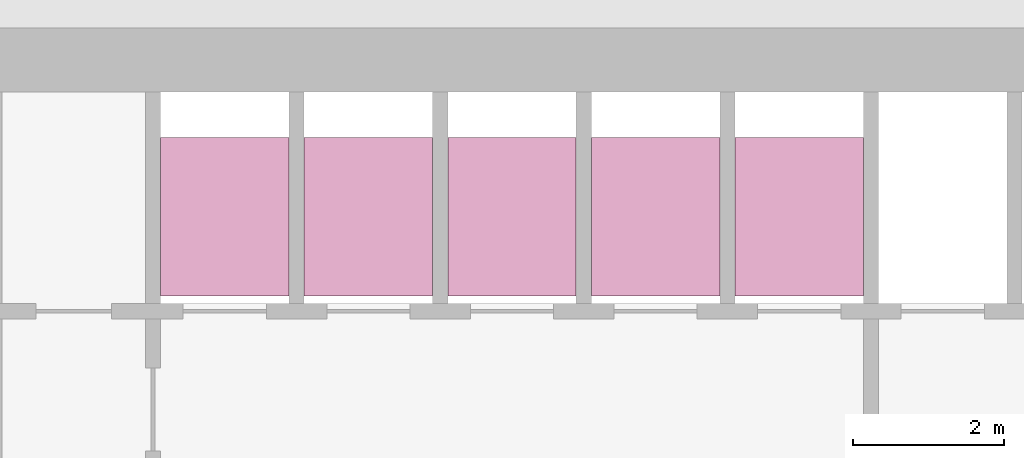
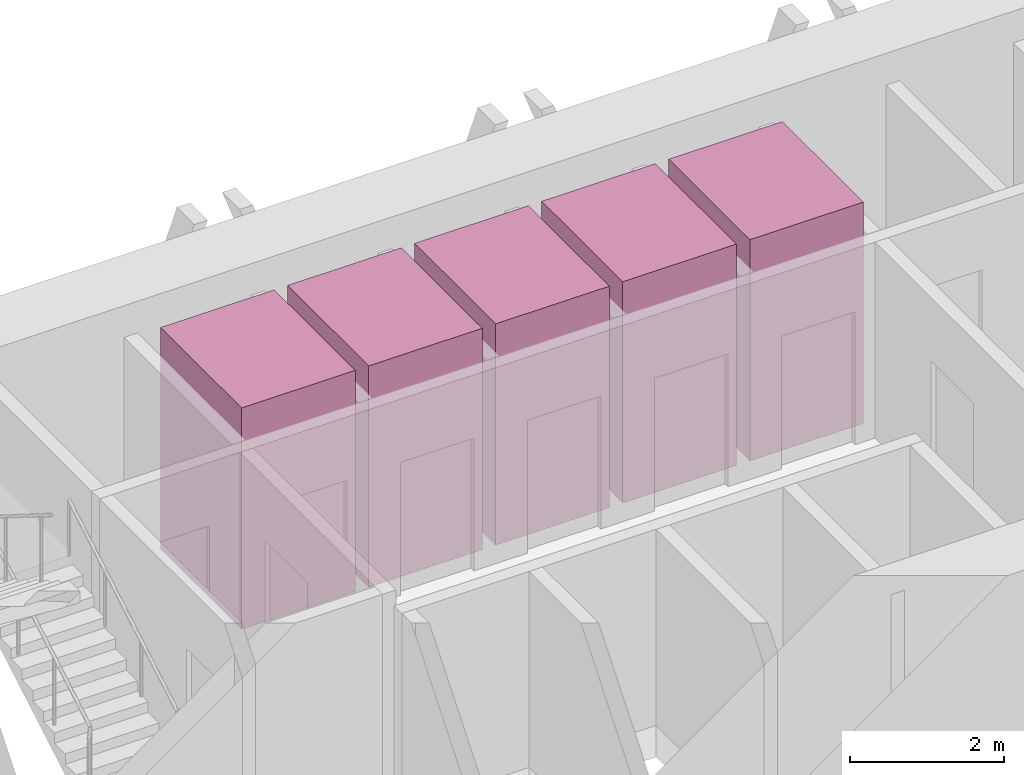
# One storey, part 18 of 18: 5 transport elements.
"""IFC4 building model written with IfcOpenShell, lengths in metres."""

from ifc_helpers import new_model, si_unit, direction, frame, origin, origin_2d, place, context, subcontext, project, spatial, rectangle, extrude, material, type_object, element, save


model = new_model("IFC4")

# Units and contexts
model_context = context("Model", 3, precision=1e-05, world=origin(), true_north=direction((0.0, 1.0)))
body_context = subcontext(model_context, "Body", "Model", "MODEL_VIEW")
ifc_project = project(units=[si_unit("LENGTHUNIT", "METRE"), si_unit("AREAUNIT", "SQUARE_METRE"), si_unit("VOLUMEUNIT", "CUBIC_METRE"), si_unit("PLANEANGLEUNIT", "RADIAN"), si_unit("MASSUNIT", "GRAM", prefix="KILO")], contexts=[model_context])

# Site, building, storey
site_placement = place(None, origin())
site = spatial("IfcSite", under=ifc_project, at=site_placement, CompositionType="ELEMENT")
building_placement = place(site_placement, origin())
building = spatial("IfcBuilding", under=site, at=building_placement, Name="Altiplano Prism Tower", CompositionType="ELEMENT")
storey_placement = place(building_placement, frame((0.0, 0.0, 41.39990234375)))
storey = spatial("IfcBuildingStorey", under=building, at=storey_placement, Name="L09", CompositionType="ELEMENT", Elevation=41.39990234375)

# Transport elements
ifc_material = material(Name="Stainless steel lift car", Category="steel")
transport_element_type = type_object("IfcTransportElementType", Name="Passenger lift car 1600 x 2100", PredefinedType="ELEVATOR", material=ifc_material)
for number, where, z_axis, x_axis, name in (
    (1, (79.050048828125, 101.75, 0.050048828125), (0.0, 0.0, 1.0), (1.0, 0.0, 0.0), "Low Zone Passenger Lift 1"),
    (2, (80.949951171875, 101.75, 0.050048828125), (0.0, 0.0, 1.0), (1.0, 0.0, 0.0), "Low Zone Passenger Lift 2"),
    (3, (82.85009765625, 101.75, 0.050048828125), (0.0, 0.0, 1.0), (1.0, 0.0, 0.0), "Low Zone Passenger Lift 3"),
    (4, (84.75, 101.75, 0.050048828125), (0.0, 0.0, 1.0), (1.0, 0.0, 0.0), "Low Zone Passenger Lift 4"),
    (5, (86.64990234375, 101.75, 0.050048828125), (0.0, 0.0, 1.0), (1.0, 0.0, 0.0), "Low Zone Passenger Lift 5"),
):
    element("IfcTransportElement", number, at=place(storey_placement, frame(where, z_axis=z_axis, x_axis=x_axis)), inside=storey, type_object=transport_element_type, Name=name, PredefinedType="ELEVATOR", context=body_context, shape_type="SweptSolid", body=[
        extrude(rectangle(XDim=1.699951171875, YDim=2.10009765625, at=origin_2d()), origin(), (0.0, 0.0, 1.0), 3.5),
    ])

save(model, "model.ifc")
